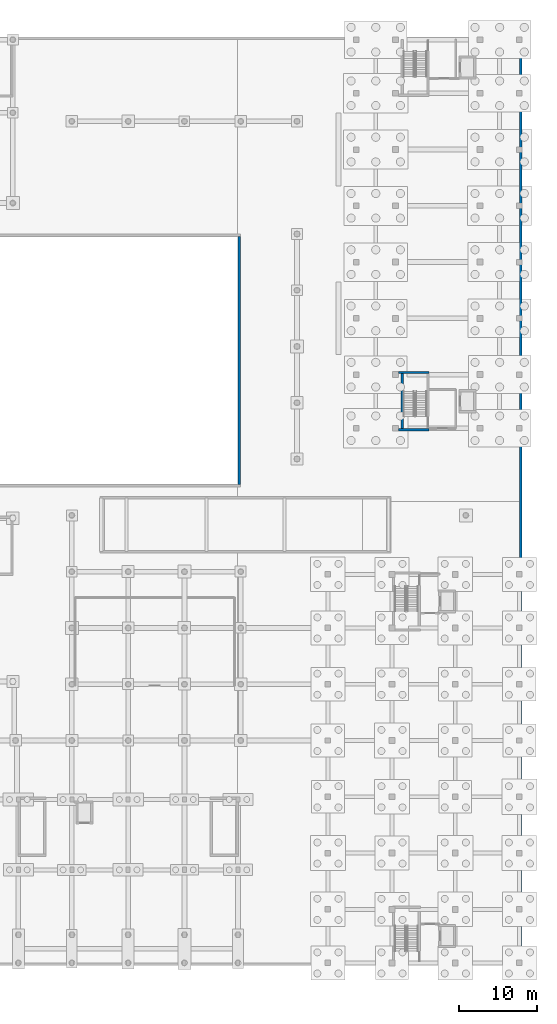
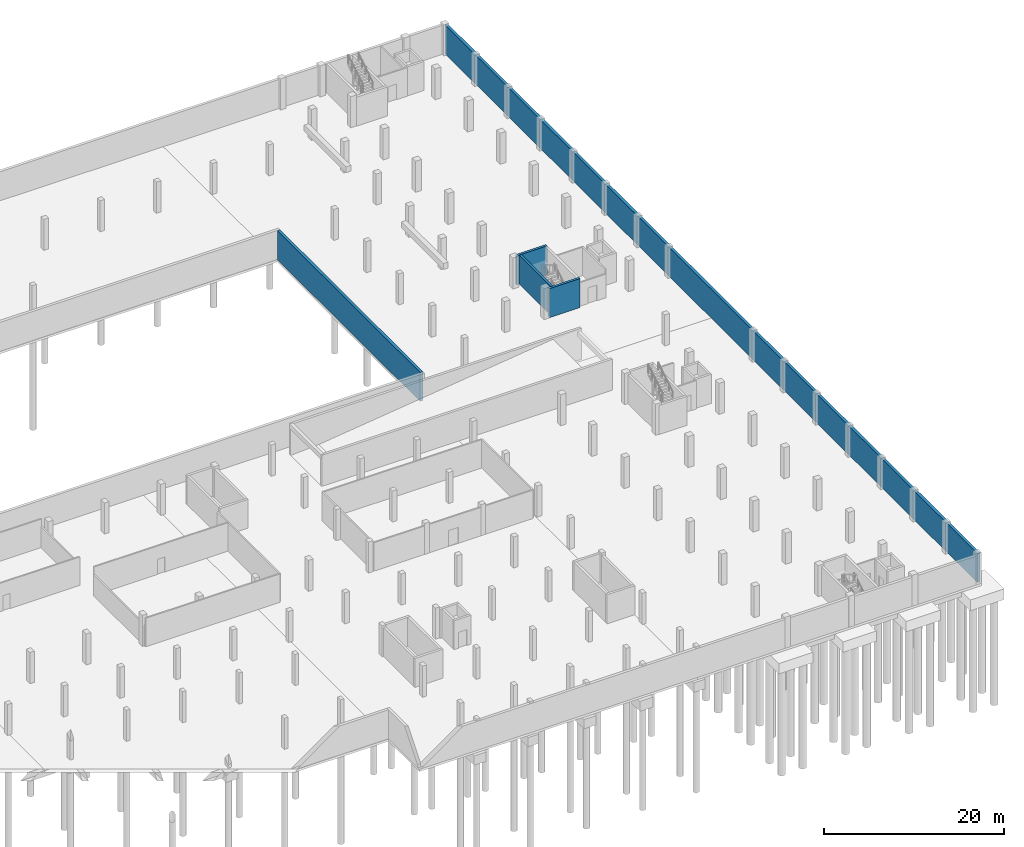
# One storey, part 27 of 36: 5 walls.
"""IFC4 building model written with IfcOpenShell, lengths in metres."""

from ifc_helpers import new_model, si_unit, derived_unit, direction, frame, frame_2d, origin, place, context, subcontext, project, spatial, rectangle, extrude, material, layer, layer_set, type_object, element, save


model = new_model("IFC4")

# Units and contexts
model_context = context("Model", 3, precision=1e-05, world=origin(), true_north=direction((0.0, 1.0)))
body_context = subcontext(model_context, "Body", "Model", "MODEL_VIEW")
ifc_project = project(units=[si_unit("LENGTHUNIT", "METRE"), si_unit("AREAUNIT", "SQUARE_METRE"), si_unit("VOLUMEUNIT", "CUBIC_METRE"), si_unit("PLANEANGLEUNIT", "RADIAN"), si_unit("MASSUNIT", "GRAM", prefix="KILO"), derived_unit("THERMALTRANSMITTANCEUNIT", [(si_unit("MASSUNIT", "GRAM", prefix="KILO"), 1), (si_unit("TIMEUNIT", "SECOND"), -3), (si_unit("THERMODYNAMICTEMPERATUREUNIT", "KELVIN"), -1)])], contexts=[model_context])

# Site, building, storey
site_placement = place(None, origin())
site = spatial("IfcSite", under=ifc_project, at=site_placement, CompositionType="ELEMENT")
building_placement = place(site_placement, origin())
building = spatial("IfcBuilding", under=site, at=building_placement, Name="Ochrekiln Boulevard Commons", CompositionType="ELEMENT")
storey_placement = place(building_placement, frame((0.0, 0.0, -4.199951171875)))
storey = spatial("IfcBuildingStorey", under=building, at=storey_placement, Name="B1", CompositionType="ELEMENT", Elevation=-4.199951171875)

# Walls
ifc_material_1 = material(Name="Concrete C35/45", Category="concrete")
ifc_layer_1 = layer(ifc_material_1, 0.35009765625)
ifc_layer_set_1 = layer_set([ifc_layer_1], Name="Concrete C35/45")
wall_type_1 = type_object("IfcWallType", Name="WL-B1-RET-350", PredefinedType="SOLIDWALL", material=ifc_layer_set_1)
wall_1_placement = place(storey_placement, frame((172.625, 0.35009765625, 0.0), z_axis=(0.0, 0.0, 1.0), x_axis=(0.0, 1.0, 0.0)))
element("IfcWall", 1, at=wall_1_placement, inside=storey, type_object=wall_type_1, Name="B1 Perimeter Retaining Wall B1-E", PredefinedType="SOLIDWALL", context=body_context, shape_type="SweptSolid", body=[
    extrude(rectangle(XDim=118.099853515625, YDim=0.35009765625, at=frame_2d((59.0498046875, 0.0))), origin(), (0.0, 0.0, 1.0), 3.919921875),
])
wall_2_placement = place(storey_placement, frame((136.625, 61.550048828125, 0.0), z_axis=(0.0, 0.0, 1.0), x_axis=(0.0, 1.0, 0.0)))
element("IfcWall", 2, at=wall_2_placement, inside=storey, type_object=wall_type_1, Name="B1 Courtyard Soil-Core Retaining E Exterior Wall", PredefinedType="SOLIDWALL", context=body_context, shape_type="SweptSolid", body=[
    extrude(rectangle(XDim=31.699951171875, YDim=0.35009765625, at=frame_2d((15.85009765625, 0.0))), origin(), (0.0, 0.0, 1.0), 3.919921875),
])
ifc_material_2 = material(Name="Concrete C40/50", Category="concrete")
ifc_layer_2 = layer(ifc_material_2, 0.300048828125)
ifc_layer_set_2 = layer_set([ifc_layer_2], Name="Concrete C40/50")
wall_type_2 = type_object("IfcWallType", Name="WL-SH-300", PredefinedType="SHEAR", material=ifc_layer_set_2)
for number, where, z_axis, x_axis, name in (
    (3, (156.97509765625, 68.570068359375, 0.0), (0.0, 0.0, 1.0), (1.0, 0.0, 0.0), "Stair ST-B1 B1 Core Shear Wall S"),
    (4, (156.97509765625, 75.8701171875, 0.0), (0.0, 0.0, 1.0), (1.0, 0.0, 0.0), "Stair ST-B1 B1 Core Shear Wall N"),
):
    element("IfcWall", number, at=place(storey_placement, frame(where, z_axis=z_axis, x_axis=x_axis)), inside=storey, type_object=wall_type_2, Name=name, PredefinedType="SHEAR", context=body_context, shape_type="SweptSolid", body=[
        extrude(rectangle(XDim=3.9248046875, YDim=0.300048828125, at=frame_2d((1.96240234375, 0.0))), origin(), (0.0, 0.0, 1.0), 3.919921875),
    ])
wall_3_placement = place(storey_placement, frame((157.449951171875, 68.719970703125, 0.0), z_axis=(0.0, 0.0, 1.0), x_axis=(0.0, 1.0, 0.0)))
element("IfcWall", 5, at=wall_3_placement, inside=storey, type_object=wall_type_2, Name="Stair ST-B1 B1 Core Shear Wall W", PredefinedType="SHEAR", context=body_context, shape_type="SweptSolid", body=[
    extrude(rectangle(XDim=7.0, YDim=0.300048828125, at=frame_2d((3.5, 0.0))), origin(), (0.0, 0.0, 1.0), 3.919921875),
])

save(model, "model.ifc")
